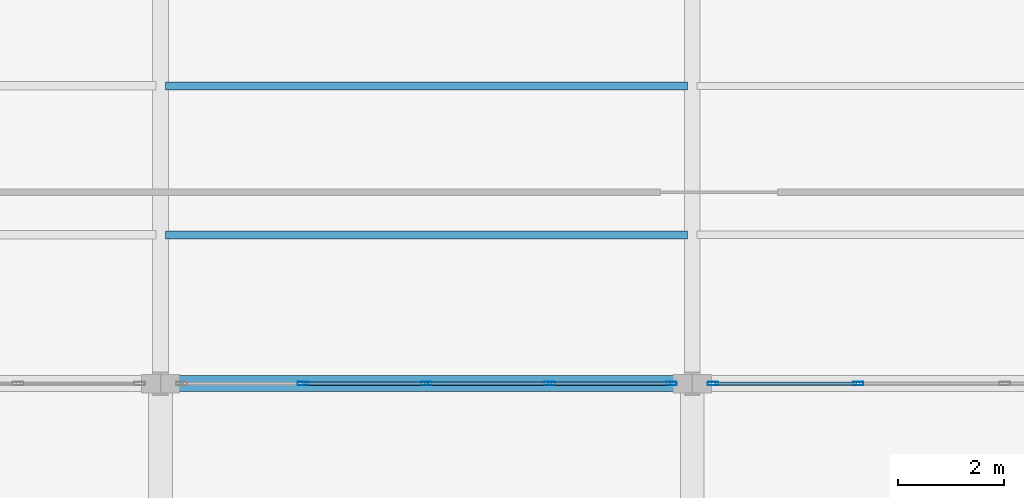
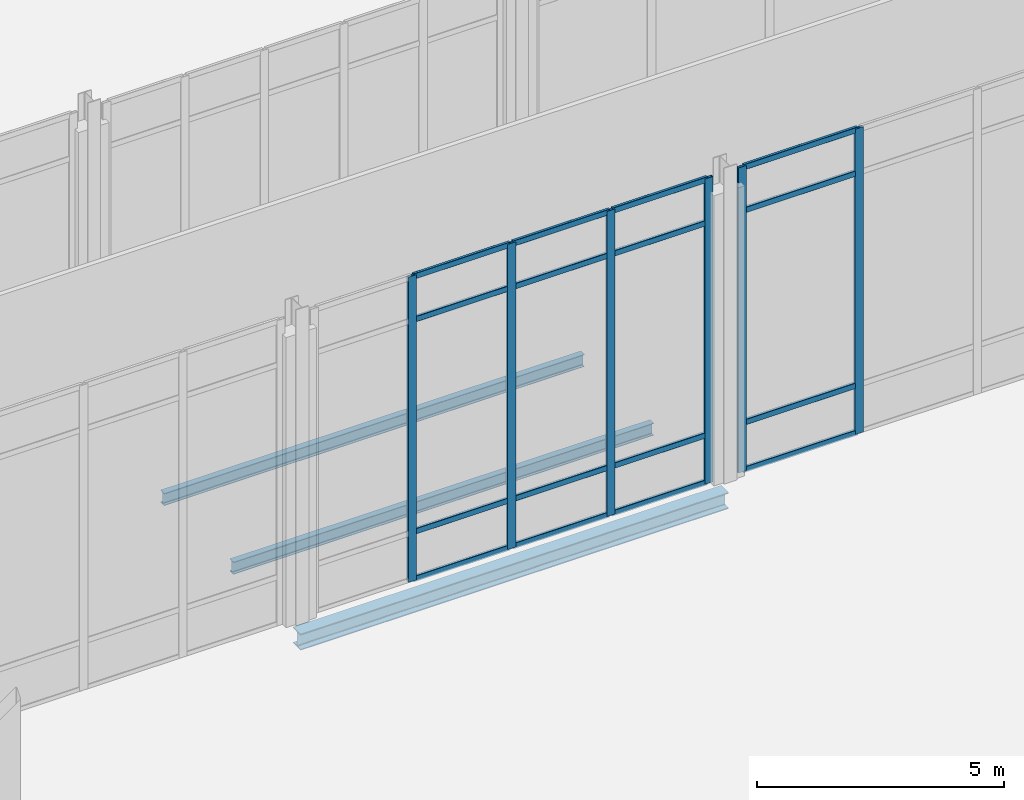
# One storey, part 99 of 176: 22 members, 3 beams, 2 elements without a shape of their own.
"""IFC4 building model written with IfcOpenShell, lengths in metres."""

from ifc_helpers import new_model, si_unit, direction, frame, origin, origin_2d, place, context, subcontext, project, spatial, hollow_rectangle, i_section, extrude, material, layer, layer_set, material_profile, profile_set, type_object, element, aggregate, save


model = new_model("IFC4")

# Units and contexts
model_context = context("Model", 3, precision=1e-05, world=origin(), true_north=direction((0.0, 1.0)))
body_context = subcontext(model_context, "Body", "Model", "MODEL_VIEW")
ifc_project = project(units=[si_unit("LENGTHUNIT", "METRE"), si_unit("AREAUNIT", "SQUARE_METRE"), si_unit("VOLUMEUNIT", "CUBIC_METRE"), si_unit("PLANEANGLEUNIT", "RADIAN"), si_unit("MASSUNIT", "GRAM", prefix="KILO")], contexts=[model_context])

# Site, building, storey
site_placement = place(None, origin())
site = spatial("IfcSite", under=ifc_project, at=site_placement, CompositionType="ELEMENT")
building_placement = place(site_placement, origin())
building = spatial("IfcBuilding", under=site, at=building_placement, Name="Vekula Escarpment Museum", CompositionType="ELEMENT")
storey_placement = place(building_placement, origin())
storey = spatial("IfcBuildingStorey", under=building, at=storey_placement, Name="L01", CompositionType="ELEMENT", Elevation=0.0)

# Beams
ifc_material_1 = material(Name="Steel S355", Category="steel")
ifc_material_profile_1 = material_profile(ifc_material_1, i_section(OverallWidth=0.300048828125, OverallDepth=0.39990234375, WebThickness=0.013427734375, FlangeThickness=0.02392578125, FilletRadius=0.027099609375, at=origin_2d()), Name="HEB 400")
ifc_profile_set_1 = profile_set([ifc_material_profile_1], Name="Steel S355")
beam_type_1 = type_object("IfcBeamType", Name="BM-GIRD-HEB400", PredefinedType="BEAM", material=ifc_profile_set_1)
beam_placement = place(storey_placement, frame((136.0, 68.0, -0.5), z_axis=(1.0, 0.0, 0.0), x_axis=(0.0, 1.0, 0.0)))
element("IfcBeam", 1, at=beam_placement, inside=storey, type_object=beam_type_1, Name="Beam X L01 0200", PredefinedType="BEAM", context=body_context, shape_type="SweptSolid", body=[
    extrude(i_section(OverallWidth=0.300048828125, OverallDepth=0.39990234375, WebThickness=0.013427734375, FlangeThickness=0.02392578125, FilletRadius=0.027099609375, at=origin_2d()), origin(), (0.0, 0.0, 1.0), 10.0),
])
ifc_material_2 = material(Name="Steel S355", Category="steel")
ifc_material_profile_2 = material_profile(ifc_material_2, i_section(OverallWidth=0.14990234375, OverallDepth=0.300048828125, WebThickness=0.007080078125, FlangeThickness=0.0107421875, FilletRadius=0.014892578125, at=origin_2d()), Name="IPE 300")
ifc_profile_set_2 = profile_set([ifc_material_profile_2], Name="Steel S355")
beam_type_2 = type_object("IfcBeamType", Name="BM-JST-IPE300", PredefinedType="JOIST", material=ifc_profile_set_2)
for number, where, z_axis, x_axis, name in (
    (2, (136.090087890625, 70.800048828125, -0.449951171875), (1.0, 0.0, 0.0), (0.0, 1.0, 0.0), "Secondary Joist L01 0459"),
    (3, (136.090087890625, 73.60009765625, -0.449951171875), (1.0, 0.0, 0.0), (0.0, 1.0, 0.0), "Secondary Joist L01 0460"),
):
    element("IfcBeam", number, at=place(storey_placement, frame(where, z_axis=z_axis, x_axis=x_axis)), inside=storey, type_object=beam_type_2, Name=name, PredefinedType="JOIST", context=body_context, shape_type="SweptSolid", body=[
        extrude(i_section(OverallWidth=0.14990234375, OverallDepth=0.300048828125, WebThickness=0.007080078125, FlangeThickness=0.0107421875, FilletRadius=0.014892578125, at=origin_2d()), origin(), (0.0, 0.0, 1.0), 9.81982421875),
    ])

# Curtain wall, members
ifc_material_3 = material(Name="Aluminium thermally broken framing", Category="aluminium")
ifc_layer_1 = layer(ifc_material_3, 0.199951171875)
ifc_layer_set_1 = layer_set([ifc_layer_1], Name="Aluminium thermally broken framing")
curtain_wall_type_1 = type_object("IfcCurtainWallType", Name="CW-SYS-03", PredefinedType="NOTDEFINED", material=ifc_layer_set_1)
curtain_wall_1_placement = place(storey_placement, origin())
curtain_wall_1 = element("IfcCurtainWall", 4, at=curtain_wall_1_placement, inside=storey, type_object=curtain_wall_type_1, Name="Curtain Wall CW-L01-013", PredefinedType="NOTDEFINED")
ifc_material_4 = material(Name="Aluminium anodized mullion", Category="aluminium")
ifc_material_profile_3 = material_profile(ifc_material_4, hollow_rectangle(XDim=0.06494140625, YDim=0.199951171875, WallThickness=0.00390625, InnerFilletRadius=0.00390625, OuterFilletRadius=0.008056640625, at=origin_2d()), Name="ALU 200x65x4")
ifc_profile_set_3 = profile_set([ifc_material_profile_3], Name="Aluminium anodized mullion")
member_type_1 = type_object("IfcMemberType", Name="CW-MUL-200", PredefinedType="MULLION", material=ifc_profile_set_3)
member_1_placement = place(storey_placement, frame((138.679931640625, 68.0, 0.0), z_axis=(0.0, 0.0, 1.0), x_axis=(0.0, 1.0, 0.0)))
member_1 = element("IfcMember", 5, at=member_1_placement, type_object=member_type_1, Name="CW-03 mullion 2", PredefinedType="MULLION", context=body_context, shape_type="SweptSolid", body=[
    extrude(hollow_rectangle(XDim=0.06494140625, YDim=0.199951171875, WallThickness=0.00390625, InnerFilletRadius=0.00390625, OuterFilletRadius=0.008056640625, at=origin_2d()), origin(), (0.0, 0.0, 1.0), 7.5400390625),
])
member_2_placement = place(storey_placement, frame((141.0, 68.0, 0.0), z_axis=(0.0, 0.0, 1.0), x_axis=(0.0, 1.0, 0.0)))
member_2 = element("IfcMember", 6, at=member_2_placement, type_object=member_type_1, Name="CW-03 mullion 3", PredefinedType="MULLION", context=body_context, shape_type="SweptSolid", body=[
    extrude(hollow_rectangle(XDim=0.06494140625, YDim=0.199951171875, WallThickness=0.00390625, InnerFilletRadius=0.00390625, OuterFilletRadius=0.008056640625, at=origin_2d()), origin(), (0.0, 0.0, 1.0), 7.5400390625),
])
member_3_placement = place(storey_placement, frame((143.320068359375, 68.0, 0.0), z_axis=(0.0, 0.0, 1.0), x_axis=(0.0, 1.0, 0.0)))
member_3 = element("IfcMember", 7, at=member_3_placement, type_object=member_type_1, Name="CW-03 mullion 4", PredefinedType="MULLION", context=body_context, shape_type="SweptSolid", body=[
    extrude(hollow_rectangle(XDim=0.06494140625, YDim=0.199951171875, WallThickness=0.00390625, InnerFilletRadius=0.00390625, OuterFilletRadius=0.008056640625, at=origin_2d()), origin(), (0.0, 0.0, 1.0), 7.5400390625),
])
member_4_placement = place(storey_placement, frame((145.607421875, 68.0, 0.0), z_axis=(0.0, 0.0, 1.0), x_axis=(0.0, 1.0, 0.0)))
member_4 = element("IfcMember", 8, at=member_4_placement, type_object=member_type_1, Name="CW-03 mullion 5", PredefinedType="MULLION", context=body_context, shape_type="SweptSolid", body=[
    extrude(hollow_rectangle(XDim=0.06494140625, YDim=0.199951171875, WallThickness=0.00390625, InnerFilletRadius=0.00390625, OuterFilletRadius=0.008056640625, at=origin_2d()), origin(), (0.0, 0.0, 1.0), 7.5400390625),
])

ifc_material_5 = material(Name="Aluminium thermally broken framing", Category="aluminium")
ifc_layer_2 = layer(ifc_material_5, 0.199951171875)
ifc_layer_set_2 = layer_set([ifc_layer_2], Name="Aluminium thermally broken framing")
curtain_wall_type_2 = type_object("IfcCurtainWallType", Name="CW-SYS-04", PredefinedType="NOTDEFINED", material=ifc_layer_set_2)
curtain_wall_2_placement = place(storey_placement, origin())
curtain_wall_2 = element("IfcCurtainWall", 9, at=curtain_wall_2_placement, inside=storey, type_object=curtain_wall_type_2, Name="Curtain Wall CW-L01-014", PredefinedType="NOTDEFINED")
member_5_placement = place(storey_placement, frame((146.392578125, 68.0, 0.0), z_axis=(0.0, 0.0, 1.0), x_axis=(0.0, 1.0, 0.0)))
member_5 = element("IfcMember", 10, at=member_5_placement, type_object=member_type_1, Name="CW-04 mullion 1", PredefinedType="MULLION", context=body_context, shape_type="SweptSolid", body=[
    extrude(hollow_rectangle(XDim=0.06494140625, YDim=0.199951171875, WallThickness=0.00390625, InnerFilletRadius=0.00390625, OuterFilletRadius=0.008056640625, at=origin_2d()), origin(), (0.0, 0.0, 1.0), 7.5400390625),
])
member_6_placement = place(storey_placement, frame((149.1201171875, 68.0, 0.0), z_axis=(0.0, 0.0, 1.0), x_axis=(0.0, 1.0, 0.0)))
member_6 = element("IfcMember", 11, at=member_6_placement, type_object=member_type_1, Name="CW-04 mullion 2", PredefinedType="MULLION", context=body_context, shape_type="SweptSolid", body=[
    extrude(hollow_rectangle(XDim=0.06494140625, YDim=0.199951171875, WallThickness=0.00390625, InnerFilletRadius=0.00390625, OuterFilletRadius=0.008056640625, at=origin_2d()), origin(), (0.0, 0.0, 1.0), 7.5400390625),
])

# Member
ifc_material_6 = material(Name="Aluminium anodized transom", Category="aluminium")
ifc_material_profile_4 = material_profile(ifc_material_6, hollow_rectangle(XDim=0.06494140625, YDim=0.139892578125, WallThickness=0.00390625, InnerFilletRadius=0.00390625, OuterFilletRadius=0.008056640625, at=origin_2d()), Name="ALU 140x65x4")
ifc_profile_set_4 = profile_set([ifc_material_profile_4], Name="Aluminium anodized transom")
member_type_2 = type_object("IfcMemberType", Name="CW-TRN-140", PredefinedType="USERDEFINED", material=ifc_profile_set_4)
member_7_placement = place(storey_placement, frame((138.71240234375, 68.0, 0.032470703125), z_axis=(1.0, 0.0, 0.0), x_axis=(0.0, 1.0, 0.0)))
member_7 = element("IfcMember", 12, at=member_7_placement, type_object=member_type_2, Name="CW-03 transom 2.1", ObjectType="TRANSOM", PredefinedType="USERDEFINED", context=body_context, shape_type="SweptSolid", body=[
    extrude(hollow_rectangle(XDim=0.06494140625, YDim=0.139892578125, WallThickness=0.00390625, InnerFilletRadius=0.00390625, OuterFilletRadius=0.008056640625, at=origin_2d()), origin(), (0.0, 0.0, 1.0), 2.255126953125),
])

member_8_placement = place(storey_placement, frame((138.71240234375, 68.0, 1.199951171875), z_axis=(1.0, 0.0, 0.0), x_axis=(0.0, 1.0, 0.0)))
member_8 = element("IfcMember", 13, at=member_8_placement, type_object=member_type_2, Name="CW-03 transom 2.2", ObjectType="TRANSOM", PredefinedType="USERDEFINED", context=body_context, shape_type="SweptSolid", body=[
    extrude(hollow_rectangle(XDim=0.06494140625, YDim=0.139892578125, WallThickness=0.00390625, InnerFilletRadius=0.00390625, OuterFilletRadius=0.008056640625, at=origin_2d()), origin(), (0.0, 0.0, 1.0), 2.255126953125),
])

member_9_placement = place(storey_placement, frame((138.71240234375, 68.0, 6.43994140625), z_axis=(1.0, 0.0, 0.0), x_axis=(0.0, 1.0, 0.0)))
member_9 = element("IfcMember", 14, at=member_9_placement, type_object=member_type_2, Name="CW-03 transom 2.3", ObjectType="TRANSOM", PredefinedType="USERDEFINED", context=body_context, shape_type="SweptSolid", body=[
    extrude(hollow_rectangle(XDim=0.06494140625, YDim=0.139892578125, WallThickness=0.00390625, InnerFilletRadius=0.00390625, OuterFilletRadius=0.008056640625, at=origin_2d()), origin(), (0.0, 0.0, 1.0), 2.255126953125),
])

member_10_placement = place(storey_placement, frame((138.71240234375, 68.0, 7.507568359375), z_axis=(1.0, 0.0, 0.0), x_axis=(0.0, 1.0, 0.0)))
member_10 = element("IfcMember", 15, at=member_10_placement, type_object=member_type_2, Name="CW-03 transom 2.4", ObjectType="TRANSOM", PredefinedType="USERDEFINED", context=body_context, shape_type="SweptSolid", body=[
    extrude(hollow_rectangle(XDim=0.06494140625, YDim=0.139892578125, WallThickness=0.00390625, InnerFilletRadius=0.00390625, OuterFilletRadius=0.008056640625, at=origin_2d()), origin(), (0.0, 0.0, 1.0), 2.255126953125),
])

member_11_placement = place(storey_placement, frame((141.032470703125, 68.0, 0.032470703125), z_axis=(1.0, 0.0, 0.0), x_axis=(0.0, 1.0, 0.0)))
member_11 = element("IfcMember", 16, at=member_11_placement, type_object=member_type_2, Name="CW-03 transom 3.1", ObjectType="TRANSOM", PredefinedType="USERDEFINED", context=body_context, shape_type="SweptSolid", body=[
    extrude(hollow_rectangle(XDim=0.06494140625, YDim=0.139892578125, WallThickness=0.00390625, InnerFilletRadius=0.00390625, OuterFilletRadius=0.008056640625, at=origin_2d()), origin(), (0.0, 0.0, 1.0), 2.255126953125),
])

member_12_placement = place(storey_placement, frame((141.032470703125, 68.0, 1.199951171875), z_axis=(1.0, 0.0, 0.0), x_axis=(0.0, 1.0, 0.0)))
member_12 = element("IfcMember", 17, at=member_12_placement, type_object=member_type_2, Name="CW-03 transom 3.2", ObjectType="TRANSOM", PredefinedType="USERDEFINED", context=body_context, shape_type="SweptSolid", body=[
    extrude(hollow_rectangle(XDim=0.06494140625, YDim=0.139892578125, WallThickness=0.00390625, InnerFilletRadius=0.00390625, OuterFilletRadius=0.008056640625, at=origin_2d()), origin(), (0.0, 0.0, 1.0), 2.255126953125),
])

member_13_placement = place(storey_placement, frame((141.032470703125, 68.0, 6.43994140625), z_axis=(1.0, 0.0, 0.0), x_axis=(0.0, 1.0, 0.0)))
member_13 = element("IfcMember", 18, at=member_13_placement, type_object=member_type_2, Name="CW-03 transom 3.3", ObjectType="TRANSOM", PredefinedType="USERDEFINED", context=body_context, shape_type="SweptSolid", body=[
    extrude(hollow_rectangle(XDim=0.06494140625, YDim=0.139892578125, WallThickness=0.00390625, InnerFilletRadius=0.00390625, OuterFilletRadius=0.008056640625, at=origin_2d()), origin(), (0.0, 0.0, 1.0), 2.255126953125),
])

member_14_placement = place(storey_placement, frame((141.032470703125, 68.0, 7.507568359375), z_axis=(1.0, 0.0, 0.0), x_axis=(0.0, 1.0, 0.0)))
member_14 = element("IfcMember", 19, at=member_14_placement, type_object=member_type_2, Name="CW-03 transom 3.4", ObjectType="TRANSOM", PredefinedType="USERDEFINED", context=body_context, shape_type="SweptSolid", body=[
    extrude(hollow_rectangle(XDim=0.06494140625, YDim=0.139892578125, WallThickness=0.00390625, InnerFilletRadius=0.00390625, OuterFilletRadius=0.008056640625, at=origin_2d()), origin(), (0.0, 0.0, 1.0), 2.255126953125),
])

member_15_placement = place(storey_placement, frame((143.3525390625, 68.0, 0.032470703125), z_axis=(1.0, 0.0, 0.0), x_axis=(0.0, 1.0, 0.0)))
member_15 = element("IfcMember", 20, at=member_15_placement, type_object=member_type_2, Name="CW-03 transom 4.1", ObjectType="TRANSOM", PredefinedType="USERDEFINED", context=body_context, shape_type="SweptSolid", body=[
    extrude(hollow_rectangle(XDim=0.06494140625, YDim=0.139892578125, WallThickness=0.00390625, InnerFilletRadius=0.00390625, OuterFilletRadius=0.008056640625, at=origin_2d()), origin(), (0.0, 0.0, 1.0), 2.222412109375),
])

member_16_placement = place(storey_placement, frame((143.3525390625, 68.0, 1.199951171875), z_axis=(1.0, 0.0, 0.0), x_axis=(0.0, 1.0, 0.0)))
member_16 = element("IfcMember", 21, at=member_16_placement, type_object=member_type_2, Name="CW-03 transom 4.2", ObjectType="TRANSOM", PredefinedType="USERDEFINED", context=body_context, shape_type="SweptSolid", body=[
    extrude(hollow_rectangle(XDim=0.06494140625, YDim=0.139892578125, WallThickness=0.00390625, InnerFilletRadius=0.00390625, OuterFilletRadius=0.008056640625, at=origin_2d()), origin(), (0.0, 0.0, 1.0), 2.222412109375),
])

member_17_placement = place(storey_placement, frame((143.3525390625, 68.0, 6.43994140625), z_axis=(1.0, 0.0, 0.0), x_axis=(0.0, 1.0, 0.0)))
member_17 = element("IfcMember", 22, at=member_17_placement, type_object=member_type_2, Name="CW-03 transom 4.3", ObjectType="TRANSOM", PredefinedType="USERDEFINED", context=body_context, shape_type="SweptSolid", body=[
    extrude(hollow_rectangle(XDim=0.06494140625, YDim=0.139892578125, WallThickness=0.00390625, InnerFilletRadius=0.00390625, OuterFilletRadius=0.008056640625, at=origin_2d()), origin(), (0.0, 0.0, 1.0), 2.222412109375),
])

member_18_placement = place(storey_placement, frame((143.3525390625, 68.0, 7.507568359375), z_axis=(1.0, 0.0, 0.0), x_axis=(0.0, 1.0, 0.0)))
member_18 = element("IfcMember", 23, at=member_18_placement, type_object=member_type_2, Name="CW-03 transom 4.4", ObjectType="TRANSOM", PredefinedType="USERDEFINED", context=body_context, shape_type="SweptSolid", body=[
    extrude(hollow_rectangle(XDim=0.06494140625, YDim=0.139892578125, WallThickness=0.00390625, InnerFilletRadius=0.00390625, OuterFilletRadius=0.008056640625, at=origin_2d()), origin(), (0.0, 0.0, 1.0), 2.222412109375),
])

aggregate(curtain_wall_1, [member_1, member_2, member_3, member_4, member_7, member_8, member_9, member_10, member_11, member_12, member_13, member_14, member_15, member_16, member_17, member_18])

member_19_placement = place(storey_placement, frame((146.425048828125, 68.0, 0.032470703125), z_axis=(1.0, 0.0, 0.0), x_axis=(0.0, 1.0, 0.0)))
member_19 = element("IfcMember", 24, at=member_19_placement, type_object=member_type_2, Name="CW-04 transom 1.1", ObjectType="TRANSOM", PredefinedType="USERDEFINED", context=body_context, shape_type="SweptSolid", body=[
    extrude(hollow_rectangle(XDim=0.06494140625, YDim=0.139892578125, WallThickness=0.00390625, InnerFilletRadius=0.00390625, OuterFilletRadius=0.008056640625, at=origin_2d()), origin(), (0.0, 0.0, 1.0), 2.662353515625),
])

member_20_placement = place(storey_placement, frame((146.425048828125, 68.0, 1.199951171875), z_axis=(1.0, 0.0, 0.0), x_axis=(0.0, 1.0, 0.0)))
member_20 = element("IfcMember", 25, at=member_20_placement, type_object=member_type_2, Name="CW-04 transom 1.2", ObjectType="TRANSOM", PredefinedType="USERDEFINED", context=body_context, shape_type="SweptSolid", body=[
    extrude(hollow_rectangle(XDim=0.06494140625, YDim=0.139892578125, WallThickness=0.00390625, InnerFilletRadius=0.00390625, OuterFilletRadius=0.008056640625, at=origin_2d()), origin(), (0.0, 0.0, 1.0), 2.662353515625),
])

member_21_placement = place(storey_placement, frame((146.425048828125, 68.0, 6.43994140625), z_axis=(1.0, 0.0, 0.0), x_axis=(0.0, 1.0, 0.0)))
member_21 = element("IfcMember", 26, at=member_21_placement, type_object=member_type_2, Name="CW-04 transom 1.3", ObjectType="TRANSOM", PredefinedType="USERDEFINED", context=body_context, shape_type="SweptSolid", body=[
    extrude(hollow_rectangle(XDim=0.06494140625, YDim=0.139892578125, WallThickness=0.00390625, InnerFilletRadius=0.00390625, OuterFilletRadius=0.008056640625, at=origin_2d()), origin(), (0.0, 0.0, 1.0), 2.662353515625),
])

member_22_placement = place(storey_placement, frame((146.425048828125, 68.0, 7.507568359375), z_axis=(1.0, 0.0, 0.0), x_axis=(0.0, 1.0, 0.0)))
member_22 = element("IfcMember", 27, at=member_22_placement, type_object=member_type_2, Name="CW-04 transom 1.4", ObjectType="TRANSOM", PredefinedType="USERDEFINED", context=body_context, shape_type="SweptSolid", body=[
    extrude(hollow_rectangle(XDim=0.06494140625, YDim=0.139892578125, WallThickness=0.00390625, InnerFilletRadius=0.00390625, OuterFilletRadius=0.008056640625, at=origin_2d()), origin(), (0.0, 0.0, 1.0), 2.662353515625),
])

aggregate(curtain_wall_2, [member_5, member_6, member_19, member_20, member_21, member_22])

save(model, "model.ifc")
